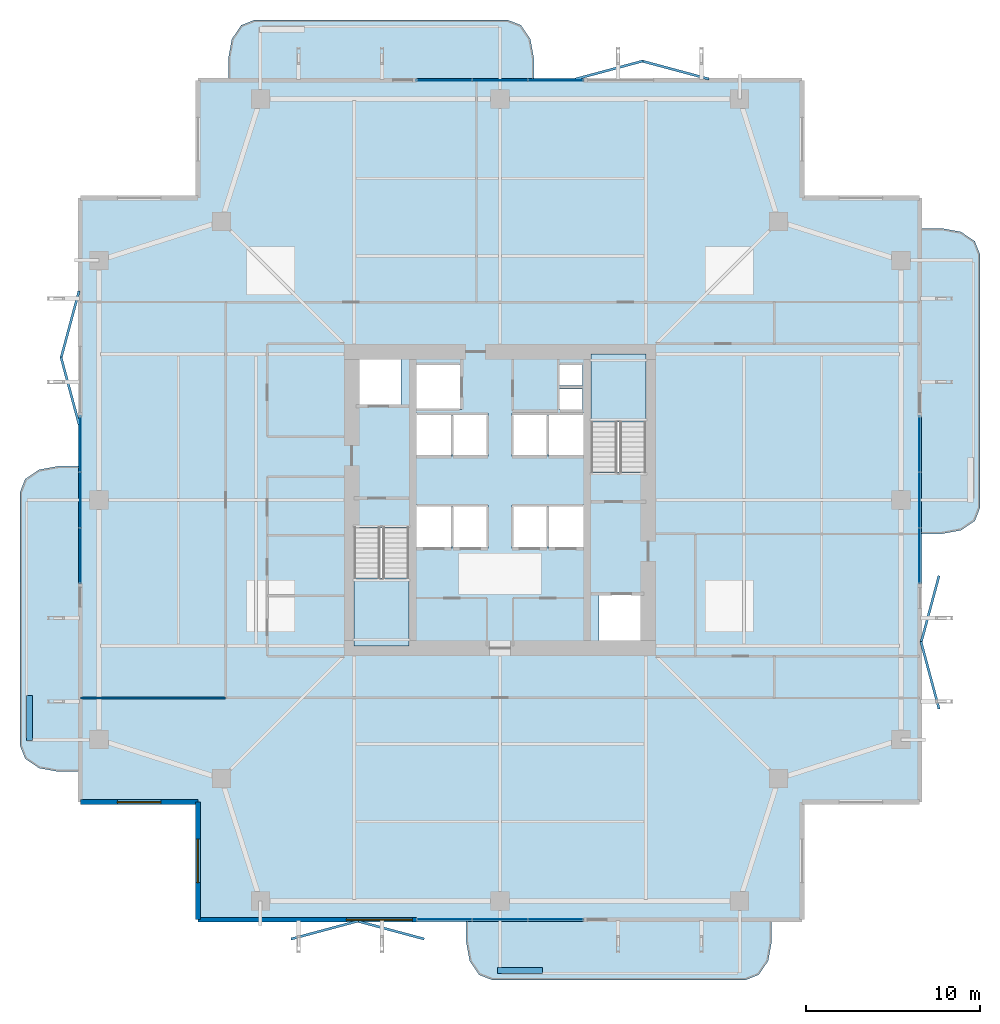
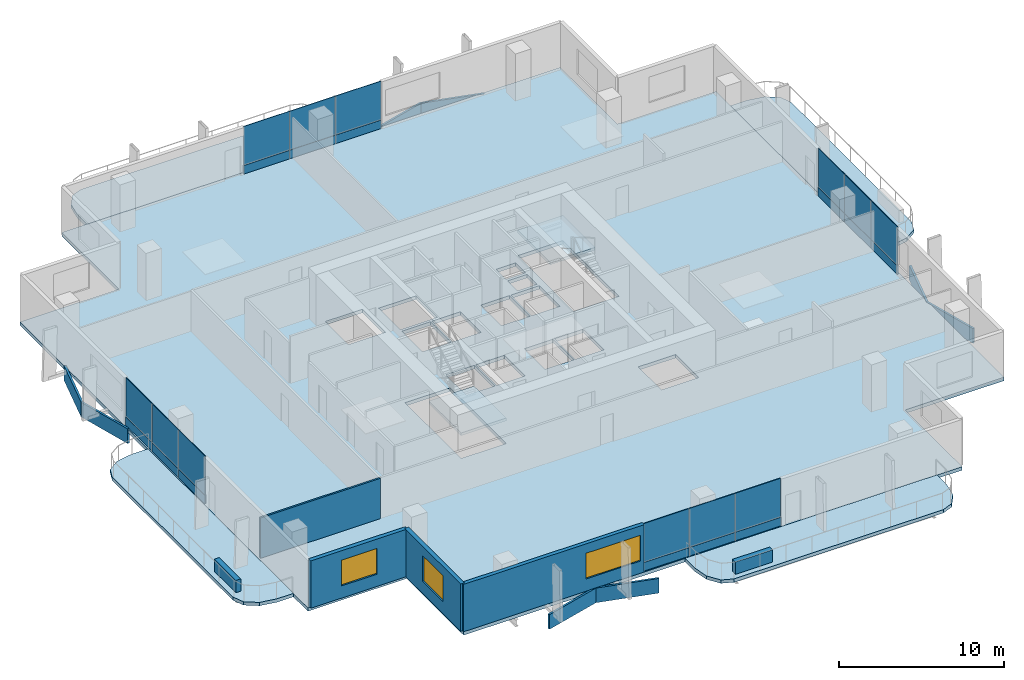
# One storey, part 17 of 23: 32 plates, 7 slabs, 6 walls, 3 windows, 3 openings, 6 elements without a shape of their own.
"""IFC4 building model written with IfcOpenShell, lengths in metres."""

import ifcopenshell
import ifcopenshell.guid

model = None  # the IFC model being written
_history = None  # IfcOwnerHistory: only IFC2X3 demands one
_inside = {}  # id of a spatial element -> (the spatial element, [elements in it])
_under = {}  # id of a project, library or spatial element -> (it, [spatial elements below it])
_declared = {}  # id of a project -> (the project, [libraries it declares])
_typed = {}  # id of a type object -> (the type object, [elements of that type])
_made_of = {}  # id of a material, layer set ... -> (it, [elements and type objects made of it])


def new_model(schema):
    """Start an empty IFC model of exactly this schema.

    Asked for "IFC4X3", IfcOpenShell would pick the latest addendum, in which some entities
    have other attributes; the version numbers below select the first issue.
    IFC2X3 requires an IfcOwnerHistory on every rooted entity: one is made here for all.
    """
    global model, _history
    if schema == "IFC4X3":
        model = ifcopenshell.file(schema_version=(4, 3, 0, 0))
    else:
        model = ifcopenshell.file(schema=schema)
    _inside.clear()
    _under.clear()
    _declared.clear()
    _typed.clear()
    _made_of.clear()
    _history = None
    if model.schema == "IFC2X3":
        org = make("IfcOrganization", Name="unknown")
        user = make(
            "IfcPersonAndOrganization",
            ThePerson=make("IfcPerson", FamilyName="unknown"),
            TheOrganization=org,
        )
        app = make(
            "IfcApplication",
            ApplicationDeveloper=org,
            Version="unknown",
            ApplicationFullName="unknown",
            ApplicationIdentifier="unknown",
        )
        _history = make(
            "IfcOwnerHistory",
            OwningUser=user,
            OwningApplication=app,
            ChangeAction="ADDED",
            CreationDate=0,
        )
    return model


def make(cls, **values):
    """One entity of the class cls with the attributes given. An attribute that is None is left unset."""
    return model.create_entity(
        cls, **{name: value for name, value in values.items() if value is not None}
    )


def rooted(cls, **values):
    """An entity with a GlobalId (a new one), such as an element, a storey or a relation."""
    return make(cls, GlobalId=ifcopenshell.guid.new(), OwnerHistory=_history, **values)


def si_unit(unit_type, name, prefix=None):
    """IfcSIUnit, for example si_unit("LENGTHUNIT", "METRE", prefix="MILLI")."""
    return make("IfcSIUnit", UnitType=unit_type, Prefix=prefix, Name=name)


def assignment(units):
    """IfcUnitAssignment: the units of a project."""
    return None if units is None else make("IfcUnitAssignment", Units=units)


def point(xyz):
    """IfcCartesianPoint."""
    return None if xyz is None else make("IfcCartesianPoint", Coordinates=xyz)


def direction(xyz):
    """IfcDirection."""
    return None if xyz is None else make("IfcDirection", DirectionRatios=xyz)


def frame(location, z_axis=None, x_axis=None):
    """IfcAxis2Placement3D, a coordinate frame: its origin and axes. An axis left out is left unset."""
    return make(
        "IfcAxis2Placement3D",
        Location=point(location),
        Axis=direction(z_axis),
        RefDirection=direction(x_axis),
    )


def frame_2d(location, x_axis=None):
    """IfcAxis2Placement2D, a coordinate frame in the plane: its origin and x axis."""
    return make(
        "IfcAxis2Placement2D", Location=point(location), RefDirection=direction(x_axis)
    )


def origin():
    """The frame at (0, 0, 0) with its axes left unset."""
    return frame((0.0, 0.0, 0.0))


def origin_2d():
    """The frame at (0, 0) in the plane with its x axis left unset."""
    return frame_2d((0.0, 0.0))


def place(relative_to, where):
    """IfcLocalPlacement: puts the frame where relative to a parent placement (None: the world)."""
    return make(
        "IfcLocalPlacement", PlacementRelTo=relative_to, RelativePlacement=where
    )


def context(
    kind, dimensions, precision=None, world=None, true_north=None, identifier=None
):
    """IfcGeometricRepresentationContext, for example the 3D "Model" context."""
    return make(
        "IfcGeometricRepresentationContext",
        ContextIdentifier=identifier,
        ContextType=kind,
        CoordinateSpaceDimension=dimensions,
        Precision=precision,
        WorldCoordinateSystem=world,
        TrueNorth=true_north,
    )


def subcontext(parent, identifier, kind, view, scale=None):
    """IfcGeometricRepresentationSubContext, for example "Body" below "Model"."""
    return make(
        "IfcGeometricRepresentationSubContext",
        ContextIdentifier=identifier,
        ContextType=kind,
        ParentContext=parent,
        TargetScale=scale,
        TargetView=view,
    )


def project(units=None, contexts=None):
    """IfcProject with its units and contexts."""
    return rooted(
        "IfcProject",
        Name="project",
        RepresentationContexts=contexts,
        UnitsInContext=assignment(units),
    )


def spatial(cls, under=None, at=None, **own):
    """A site, building, storey or space (cls), placed at a placement, below another one or the project."""
    s = rooted(cls, ObjectPlacement=at, **own)
    if under is not None:
        _under.setdefault(under.id(), (under, []))[1].append(s)
    return s


def polyline(points):
    """IfcPolyline through the points."""
    return make("IfcPolyline", Points=[point(p) for p in points])


def profile(cls, at=None, kind="AREA", **sizes):
    """A parametric profile (cls). Its sizes go by their IFC names, for example OverallWidth=200.0."""
    return make(cls, ProfileType=kind, Position=at, **sizes)


def rectangle(**sizes):
    """IfcRectangleProfileDef."""
    return profile("IfcRectangleProfileDef", **sizes)


def outline(outer, holes=None, kind="AREA"):
    """IfcArbitraryClosedProfileDef: a profile drawn as a closed curve; with holes, ...WithVoids."""
    if holes is None:
        return make("IfcArbitraryClosedProfileDef", ProfileType=kind, OuterCurve=outer)
    return make(
        "IfcArbitraryProfileDefWithVoids",
        ProfileType=kind,
        OuterCurve=outer,
        InnerCurves=holes,
    )


def extrude(swept, where, along, depth):
    """IfcExtrudedAreaSolid: the profile swept, set in the frame where, extruded along a direction by depth."""
    return make(
        "IfcExtrudedAreaSolid",
        SweptArea=swept,
        Position=where,
        ExtrudedDirection=direction(along),
        Depth=depth,
    )


def shape(context_of_items, identifier, shape_type, items):
    """IfcShapeRepresentation: the items that make up one representation, for example the "Body"."""
    return make(
        "IfcShapeRepresentation",
        ContextOfItems=context_of_items,
        RepresentationIdentifier=identifier,
        RepresentationType=shape_type,
        Items=items,
    )


def material(Name=None, Category=None):
    """IfcMaterial."""
    return make("IfcMaterial", Name=Name, Category=Category)


def layer(
    of_material, thickness, ventilated=None, Name=None, Category=None, Priority=None
):
    """IfcMaterialLayer: one layer of a wall or slab, of a material (None: an air gap)."""
    return make(
        "IfcMaterialLayer",
        Material=of_material,
        LayerThickness=thickness,
        IsVentilated=ventilated,
        Name=Name,
        Category=Category,
        Priority=Priority,
    )


def layer_set(layers, Name=None):
    """IfcMaterialLayerSet."""
    return make("IfcMaterialLayerSet", MaterialLayers=layers, LayerSetName=Name)


def made_of(thing, what):
    """Note that an element or type object is made of a material, layer set ...; save() writes the relation."""
    if what is not None:
        _made_of.setdefault(what.id(), (what, []))[1].append(thing)
    return thing


def type_object(cls, material=None, **own):
    """A type object (cls), such as IfcWallType, which elements share."""
    return made_of(rooted(cls, **own), material)


def element(
    cls,
    number,
    at=None,
    inside=None,
    cuts=None,
    type_object=None,
    material=None,
    context=None,
    identifier="Body",
    shape_type=None,
    held_by="IfcProductDefinitionShape",
    body=None,
    shapes=None,
    **own,
):
    """One element of the class cls, such as IfcWall. Its Tag is "e" and its number.

    at: its placement. inside: the storey or other place that contains it. cuts: it is an
    opening in that element (IfcRelVoidsElement). A single representation is given by context,
    identifier, shape_type and body (its items); several are given by shapes. held_by: the class
    of the entity that holds the representations. save() writes the other relations.
    """
    e = rooted(cls, Tag="e%d" % number, ObjectPlacement=at, **own)
    if body is not None:
        shapes = [shape(context, identifier, shape_type, body)]
    if shapes is not None:
        e.Representation = make(held_by, Representations=shapes)
    if inside is not None:
        _inside.setdefault(inside.id(), (inside, []))[1].append(e)
    if cuts is not None:
        rooted(
            "IfcRelVoidsElement", RelatingBuildingElement=cuts, RelatedOpeningElement=e
        )
    if type_object is not None:
        _typed.setdefault(type_object.id(), (type_object, []))[1].append(e)
    return made_of(e, material)


def fill(opening, filler):
    """IfcRelFillsElement: the door or window that sits in an opening."""
    return rooted(
        "IfcRelFillsElement",
        RelatingOpeningElement=opening,
        RelatedBuildingElement=filler,
    )


def aggregate(whole, parts):
    """IfcRelAggregates: a whole, such as a stair, and the parts it consists of."""
    return rooted("IfcRelAggregates", RelatingObject=whole, RelatedObjects=parts)


def save(model, path):
    """Write the relations noted so far, then the file.

    IfcRelAggregates (storeys below a building ...), IfcRelContainedInSpatialStructure (elements
    in a storey), IfcRelDefinesByType, IfcRelAssociatesMaterial and IfcRelDeclares: one each for
    every whole, place, type object, material and project.
    """
    for whole, parts in _under.values():
        aggregate(whole, parts)
    for where, things in _inside.values():
        rooted(
            "IfcRelContainedInSpatialStructure",
            RelatedElements=things,
            RelatingStructure=where,
        )
    for kind, things in _typed.values():
        rooted("IfcRelDefinesByType", RelatedObjects=things, RelatingType=kind)
    for what, things in _made_of.values():
        rooted("IfcRelAssociatesMaterial", RelatedObjects=things, RelatingMaterial=what)
    for by, libraries in _declared.values():
        rooted("IfcRelDeclares", RelatingContext=by, RelatedDefinitions=libraries)
    model.write(path)


model = new_model("IFC4")

# Units and contexts
model_context = context("Model", 3, precision=1e-05, world=origin(), true_north=direction((0.0, 1.0)))
body_context = subcontext(model_context, "Body", "Model", "MODEL_VIEW")
ifc_project = project(units=[si_unit("LENGTHUNIT", "METRE"), si_unit("AREAUNIT", "SQUARE_METRE"), si_unit("VOLUMEUNIT", "CUBIC_METRE"), si_unit("PLANEANGLEUNIT", "RADIAN"), si_unit("MASSUNIT", "GRAM", prefix="KILO")], contexts=[model_context])

# Site, building, storey
site_placement = place(None, origin())
site = spatial("IfcSite", under=ifc_project, at=site_placement, CompositionType="ELEMENT")
building_placement = place(site_placement, origin())
building = spatial("IfcBuilding", under=site, at=building_placement, Name="Belovzor Exchange Tower", CompositionType="ELEMENT")
storey_placement = place(building_placement, frame((0.0, 0.0, 157.050048828125)))
storey = spatial("IfcBuildingStorey", under=building, at=storey_placement, Name="L38", CompositionType="ELEMENT", Elevation=157.050048828125)

# Slab
ifc_material_1 = material(Name="Concrete C40/50", Category="concrete")
ifc_layer_1 = layer(ifc_material_1, 0.2548828125)
ifc_layer_set_1 = layer_set([ifc_layer_1], Name="Concrete C40/50")
slab_type_1 = type_object("IfcSlabType", Name="Composite Waist Floor Deck Slab 255", PredefinedType="FLOOR", material=ifc_layer_set_1)
slab_1_placement = place(storey_placement, frame((0.0, 0.0, -0.255126953125)))
element("IfcSlab", 1, at=slab_1_placement, inside=storey, type_object=slab_type_1, Name="SL-F255 Structural Slab L38", PredefinedType="FLOOR", context=body_context, shape_type="SweptSolid", body=[
    extrude(outline(polyline([(11.39990234375, 4.5), (46.199951171875, 4.5), (46.199951171875, 11.39990234375), (53.10009765625, 11.39990234375), (53.10009765625, 46.199951171875), (46.199951171875, 46.199951171875), (46.199951171875, 53.10009765625), (11.39990234375, 53.10009765625), (11.39990234375, 46.199951171875), (4.5, 46.199951171875), (4.5, 11.39990234375), (11.39990234375, 11.39990234375), (11.39990234375, 4.5)]), holes=[polyline([(20.39990234375, 27.175048828125), (20.39990234375, 20.39990234375), (23.550048828125, 20.39990234375), (23.550048828125, 27.175048828125), (20.39990234375, 27.175048828125)]), polyline([(37.199951171875, 30.425048828125), (37.199951171875, 37.199951171875), (34.050048828125, 37.199951171875), (34.050048828125, 30.425048828125), (37.199951171875, 30.425048828125)]), polyline([(20.5, 34.199951171875), (23.10009765625, 34.199951171875), (23.10009765625, 37.0), (20.5, 37.0), (20.5, 34.199951171875)]), polyline([(34.5, 20.60009765625), (37.10009765625, 20.60009765625), (37.10009765625, 23.39990234375), (34.5, 23.39990234375), (34.5, 20.60009765625)]), polyline([(24.0, 34.0), (26.60009765625, 34.0), (26.60009765625, 36.60009765625), (24.0, 36.60009765625), (24.0, 34.0)]), polyline([(24.0, 26.0), (26.0, 26.0), (26.0, 28.5), (24.0, 28.5), (24.0, 26.0)]), polyline([(26.10009765625, 26.0), (28.10009765625, 26.0), (28.10009765625, 28.5), (26.10009765625, 28.5), (26.10009765625, 26.0)]), polyline([(29.5, 26.0), (31.5, 26.0), (31.5, 28.5), (29.5, 28.5), (29.5, 26.0)]), polyline([(31.60009765625, 26.0), (33.60009765625, 26.0), (33.60009765625, 28.5), (31.60009765625, 28.5), (31.60009765625, 26.0)]), polyline([(24.0, 31.300048828125), (26.0, 31.300048828125), (26.0, 33.800048828125), (24.0, 33.800048828125), (24.0, 31.300048828125)]), polyline([(26.10009765625, 31.300048828125), (28.10009765625, 31.300048828125), (28.10009765625, 33.800048828125), (26.10009765625, 33.800048828125), (26.10009765625, 31.300048828125)]), polyline([(29.5, 31.300048828125), (31.5, 31.300048828125), (31.5, 33.800048828125), (29.5, 33.800048828125), (29.5, 31.300048828125)]), polyline([(31.60009765625, 31.300048828125), (33.60009765625, 31.300048828125), (33.60009765625, 33.800048828125), (31.60009765625, 33.800048828125), (31.60009765625, 31.300048828125)]), polyline([(32.199951171875, 34.0), (33.550048828125, 34.0), (33.550048828125, 35.199951171875), (32.199951171875, 35.199951171875), (32.199951171875, 34.0)]), polyline([(32.199951171875, 35.39990234375), (33.550048828125, 35.39990234375), (33.550048828125, 36.60009765625), (32.199951171875, 36.60009765625), (32.199951171875, 35.39990234375)])]), origin(), (0.0, 0.0, 1.0), 0.255126953125),
])

# Curtain wall, plates
ifc_material_2 = material(Name="Anodised Aluminium Framing", Category="aluminium")
ifc_layer_2 = layer(ifc_material_2, 0.179931640625)
ifc_layer_set_2 = layer_set([ifc_layer_2], Name="Anodised Aluminium Framing")
curtain_wall_type = type_object("IfcCurtainWallType", Name="Recessed Loggia Low-Iron Triple-Glazed Curtain Wall", PredefinedType="NOTDEFINED", material=ifc_layer_set_2)
curtain_wall_1_placement = place(storey_placement, origin())
curtain_wall_1 = element("IfcCurtainWall", 2, at=curtain_wall_1_placement, inside=storey, type_object=curtain_wall_type, Name="CW3 Recessed Loggia Low-Iron Triple-Glazed Curtain Wall L38", PredefinedType="NOTDEFINED")
ifc_material_3 = material(Name="Solar-Control Triple Glazing", Category="glass")
ifc_layer_3 = layer(ifc_material_3, 0.0439453125)
ifc_layer_set_3 = layer_set([ifc_layer_3], Name="Solar-Control Triple Glazing")
plate_type_1 = type_object("IfcPlateType", Name="Insulated Solar Glazing Curtain Panel 44", PredefinedType="CURTAIN_PANEL", material=ifc_layer_set_3)
plate_1_placement = place(storey_placement, frame((32.0, 4.6298828125, 0.630859375), z_axis=(0.0, 0.0, 1.0), x_axis=(-1.0, 0.0, 0.0)))
plate_1 = element("IfcPlate", 3, at=plate_1_placement, type_object=plate_type_1, Name="GLZ-44 Glazed Curtain Panel 1", PredefinedType="CURTAIN_PANEL", context=body_context, shape_type="SweptSolid", body=[
    extrude(rectangle(XDim=3.18408203125, YDim=0.0439453125, at=origin_2d()), origin(), (0.0, 0.0, 1.0), 2.864013671875),
])
plate_2_placement = place(storey_placement, frame((28.800048828125, 4.6298828125, 0.630859375), z_axis=(0.0, 0.0, 1.0), x_axis=(-1.0, 0.0, 0.0)))
plate_2 = element("IfcPlate", 4, at=plate_2_placement, type_object=plate_type_1, Name="GLZ-44 Glazed Curtain Panel 2", PredefinedType="CURTAIN_PANEL", context=body_context, shape_type="SweptSolid", body=[
    extrude(rectangle(XDim=3.18408203125, YDim=0.0439453125, at=origin_2d()), origin(), (0.0, 0.0, 1.0), 2.864013671875),
])
plate_3_placement = place(storey_placement, frame((25.60009765625, 4.6298828125, 0.630859375), z_axis=(0.0, 0.0, 1.0), x_axis=(-1.0, 0.0, 0.0)))
plate_3 = element("IfcPlate", 5, at=plate_3_placement, type_object=plate_type_1, Name="GLZ-44 Glazed Curtain Panel 3", PredefinedType="CURTAIN_PANEL", context=body_context, shape_type="SweptSolid", body=[
    extrude(rectangle(XDim=3.18408203125, YDim=0.0439453125, at=origin_2d()), origin(), (0.0, 0.0, 1.0), 2.864013671875),
])

curtain_wall_2_placement = place(storey_placement, origin())
curtain_wall_2 = element("IfcCurtainWall", 6, at=curtain_wall_2_placement, inside=storey, type_object=curtain_wall_type, Name="CW3 Recessed Loggia Low-Iron Triple-Glazed Curtain Wall L38", PredefinedType="NOTDEFINED")
plate_4_placement = place(storey_placement, frame((25.60009765625, 52.969970703125, 0.630859375), z_axis=(0.0, 0.0, 1.0), x_axis=(1.0, 0.0, 0.0)))
plate_4 = element("IfcPlate", 7, at=plate_4_placement, type_object=plate_type_1, Name="GLZ-44 Glazed Curtain Panel 1", PredefinedType="CURTAIN_PANEL", context=body_context, shape_type="SweptSolid", body=[
    extrude(rectangle(XDim=3.18408203125, YDim=0.0439453125, at=origin_2d()), origin(), (0.0, 0.0, 1.0), 2.864013671875),
])
plate_5_placement = place(storey_placement, frame((28.800048828125, 52.969970703125, 0.630859375), z_axis=(0.0, 0.0, 1.0), x_axis=(1.0, 0.0, 0.0)))
plate_5 = element("IfcPlate", 8, at=plate_5_placement, type_object=plate_type_1, Name="GLZ-44 Glazed Curtain Panel 2", PredefinedType="CURTAIN_PANEL", context=body_context, shape_type="SweptSolid", body=[
    extrude(rectangle(XDim=3.18408203125, YDim=0.0439453125, at=origin_2d()), origin(), (0.0, 0.0, 1.0), 2.864013671875),
])
plate_6_placement = place(storey_placement, frame((32.0, 52.969970703125, 0.630859375), z_axis=(0.0, 0.0, 1.0), x_axis=(1.0, 0.0, 0.0)))
plate_6 = element("IfcPlate", 9, at=plate_6_placement, type_object=plate_type_1, Name="GLZ-44 Glazed Curtain Panel 3", PredefinedType="CURTAIN_PANEL", context=body_context, shape_type="SweptSolid", body=[
    extrude(rectangle(XDim=3.18408203125, YDim=0.0439453125, at=origin_2d()), origin(), (0.0, 0.0, 1.0), 2.864013671875),
])

curtain_wall_3_placement = place(storey_placement, origin())
curtain_wall_3 = element("IfcCurtainWall", 10, at=curtain_wall_3_placement, inside=storey, type_object=curtain_wall_type, Name="CW3 Recessed Loggia Low-Iron Triple-Glazed Curtain Wall L38", PredefinedType="NOTDEFINED")
plate_7_placement = place(storey_placement, frame((4.6298828125, 25.60009765625, 0.630859375), z_axis=(0.0, 0.0, 1.0), x_axis=(0.0, 1.0, 0.0)))
plate_7 = element("IfcPlate", 11, at=plate_7_placement, type_object=plate_type_1, Name="GLZ-44 Glazed Curtain Panel 1", PredefinedType="CURTAIN_PANEL", context=body_context, shape_type="SweptSolid", body=[
    extrude(rectangle(XDim=3.18408203125, YDim=0.0439453125, at=origin_2d()), origin(), (0.0, 0.0, 1.0), 2.864013671875),
])
plate_8_placement = place(storey_placement, frame((4.6298828125, 28.800048828125, 0.630859375), z_axis=(0.0, 0.0, 1.0), x_axis=(0.0, 1.0, 0.0)))
plate_8 = element("IfcPlate", 12, at=plate_8_placement, type_object=plate_type_1, Name="GLZ-44 Glazed Curtain Panel 2", PredefinedType="CURTAIN_PANEL", context=body_context, shape_type="SweptSolid", body=[
    extrude(rectangle(XDim=3.18408203125, YDim=0.0439453125, at=origin_2d()), origin(), (0.0, 0.0, 1.0), 2.864013671875),
])
plate_9_placement = place(storey_placement, frame((4.6298828125, 32.0, 0.630859375), z_axis=(0.0, 0.0, 1.0), x_axis=(0.0, 1.0, 0.0)))
plate_9 = element("IfcPlate", 13, at=plate_9_placement, type_object=plate_type_1, Name="GLZ-44 Glazed Curtain Panel 3", PredefinedType="CURTAIN_PANEL", context=body_context, shape_type="SweptSolid", body=[
    extrude(rectangle(XDim=3.18408203125, YDim=0.0439453125, at=origin_2d()), origin(), (0.0, 0.0, 1.0), 2.864013671875),
])

curtain_wall_4_placement = place(storey_placement, origin())
curtain_wall_4 = element("IfcCurtainWall", 14, at=curtain_wall_4_placement, inside=storey, type_object=curtain_wall_type, Name="CW3 Recessed Loggia Low-Iron Triple-Glazed Curtain Wall L38", PredefinedType="NOTDEFINED")
plate_10_placement = place(storey_placement, frame((52.969970703125, 32.0, 0.630859375), z_axis=(0.0, 0.0, 1.0), x_axis=(0.0, -1.0, 0.0)))
plate_10 = element("IfcPlate", 15, at=plate_10_placement, type_object=plate_type_1, Name="GLZ-44 Glazed Curtain Panel 1", PredefinedType="CURTAIN_PANEL", context=body_context, shape_type="SweptSolid", body=[
    extrude(rectangle(XDim=3.18408203125, YDim=0.0439453125, at=origin_2d()), origin(), (0.0, 0.0, 1.0), 2.864013671875),
])
plate_11_placement = place(storey_placement, frame((52.969970703125, 28.800048828125, 0.630859375), z_axis=(0.0, 0.0, 1.0), x_axis=(0.0, -1.0, 0.0)))
plate_11 = element("IfcPlate", 16, at=plate_11_placement, type_object=plate_type_1, Name="GLZ-44 Glazed Curtain Panel 2", PredefinedType="CURTAIN_PANEL", context=body_context, shape_type="SweptSolid", body=[
    extrude(rectangle(XDim=3.18408203125, YDim=0.0439453125, at=origin_2d()), origin(), (0.0, 0.0, 1.0), 2.864013671875),
])
plate_12_placement = place(storey_placement, frame((52.969970703125, 25.60009765625, 0.630859375), z_axis=(0.0, 0.0, 1.0), x_axis=(0.0, -1.0, 0.0)))
plate_12 = element("IfcPlate", 17, at=plate_12_placement, type_object=plate_type_1, Name="GLZ-44 Glazed Curtain Panel 3", PredefinedType="CURTAIN_PANEL", context=body_context, shape_type="SweptSolid", body=[
    extrude(rectangle(XDim=3.18408203125, YDim=0.0439453125, at=origin_2d()), origin(), (0.0, 0.0, 1.0), 2.864013671875),
])

# Plates
ifc_material_4 = material(Name="Extruded Architectural Terracotta", Category="masonry")
ifc_layer_4 = layer(ifc_material_4, 0.139892578125)
ifc_layer_set_4 = layer_set([ifc_layer_4], Name="Extruded Architectural Terracotta")
plate_type_2 = type_object("IfcPlateType", Name="Mid-Tower Folded Zigzag Terracotta Spandrel Louvre 120", PredefinedType="USERDEFINED", material=ifc_layer_set_4)
for number, where, z_axis, x_axis, name in (
    (18, (18.699951171875, 4.030029296875, -1.065185546875), (0.0, 0.0, 1.0), (0.965812803231, 0.259240485101, 0.0), "LVR-ZZ2 Zigzag Terracotta Spandrel Louvre L38 S1A"),
    (19, (22.5, 4.030029296875, -1.065185546875), (0.0, 0.0, 1.0), (0.965812803231, -0.259240485101, 0.0), "LVR-ZZ2 Zigzag Terracotta Spandrel Louvre L38 S1B"),
    (20, (53.570068359375, 18.699951171875, -1.065185546875), (0.0, 0.0, 1.0), (-0.259240485101, 0.965812803231, 0.0), "LVR-ZZ2 Zigzag Terracotta Spandrel Louvre L38 E1A"),
    (21, (53.570068359375, 22.5, -1.065185546875), (0.0, 0.0, 1.0), (0.259240485101, 0.965812803231, 0.0), "LVR-ZZ2 Zigzag Terracotta Spandrel Louvre L38 E1B"),
    (22, (35.10009765625, 53.570068359375, -1.065185546875), (0.0, 0.0, 1.0), (0.965812803231, 0.259240485101, 0.0), "LVR-ZZ2 Zigzag Terracotta Spandrel Louvre L38 N2A"),
    (23, (38.89990234375, 53.570068359375, -1.065185546875), (0.0, 0.0, 1.0), (0.965812803231, -0.259240485101, 0.0), "LVR-ZZ2 Zigzag Terracotta Spandrel Louvre L38 N2B"),
    (24, (4.030029296875, 35.10009765625, -1.065185546875), (0.0, 0.0, 1.0), (-0.259240485101, 0.965812803231, 0.0), "LVR-ZZ2 Zigzag Terracotta Spandrel Louvre L38 W2A"),
    (25, (4.030029296875, 38.89990234375, -1.065185546875), (0.0, 0.0, 1.0), (0.259240485101, 0.965812803231, 0.0), "LVR-ZZ2 Zigzag Terracotta Spandrel Louvre L38 W2B"),
):
    element("IfcPlate", number, at=place(storey_placement, frame(where, z_axis=z_axis, x_axis=x_axis)), inside=storey, type_object=plate_type_2, Name=name, ObjectType="SPANDREL_LOUVRE", PredefinedType="USERDEFINED", context=body_context, shape_type="SweptSolid", body=[
        extrude(rectangle(XDim=4.014892578125, YDim=0.139892578125, at=origin_2d()), origin(), (0.0, 0.0, 1.0), 1.080078125),
    ])

# Stair, slab
ifc_material_5 = material(Name="Concrete C40/50", Category="concrete")
stair_type = type_object("IfcStairType", Name="Reinforced Concrete Dogleg Escape Stair 1350", PredefinedType="HALF_TURN_STAIR", material=ifc_material_5)
stair_1_placement = place(storey_placement, origin())
stair_1 = element("IfcStair", 26, at=stair_1_placement, inside=storey, type_object=stair_type, Name="L38 ST-1", PredefinedType="HALF_TURN_STAIR")
ifc_material_6 = material(Name="Concrete C40/50", Category="concrete")
ifc_layer_5 = layer(ifc_material_6, 0.199951171875)
ifc_layer_set_5 = layer_set([ifc_layer_5], Name="Concrete C40/50")
slab_type_2 = type_object("IfcSlabType", Name="Reinforced Concrete Stair Half-Landing Slab 200", PredefinedType="LANDING", material=ifc_layer_set_5)
slab_2_placement = place(storey_placement, frame((0.0, 0.0, 1.675048828125)))
slab_2 = element("IfcSlab", 27, at=slab_2_placement, type_object=slab_type_2, Name="ST-1 landing 1", PredefinedType="LANDING", context=body_context, shape_type="SweptSolid", body=[
    extrude(outline(polyline([(20.39990234375, 24.300048828125), (20.39990234375, 20.39990234375), (23.550048828125, 20.39990234375), (23.550048828125, 24.300048828125), (20.39990234375, 24.300048828125)])), origin(), (0.0, 0.0, 1.0), 0.199951171875),
])
aggregate(stair_1, [slab_2])

stair_2_placement = place(storey_placement, origin())
stair_2 = element("IfcStair", 28, at=stair_2_placement, inside=storey, type_object=stair_type, Name="L38 ST-2", PredefinedType="HALF_TURN_STAIR")
slab_3_placement = place(storey_placement, frame((0.0, 0.0, 1.675048828125)))
slab_3 = element("IfcSlab", 29, at=slab_3_placement, type_object=slab_type_2, Name="ST-2 landing 1", PredefinedType="LANDING", context=body_context, shape_type="SweptSolid", body=[
    extrude(outline(polyline([(37.199951171875, 33.300048828125), (37.199951171875, 37.199951171875), (34.050048828125, 37.199951171875), (34.050048828125, 33.300048828125), (37.199951171875, 33.300048828125)])), origin(), (0.0, 0.0, 1.0), 0.199951171875),
])
aggregate(stair_2, [slab_3])

# Plate
ifc_material_7 = material(Name="Extruded Architectural Terracotta", Category="masonry")
ifc_layer_6 = layer(ifc_material_7, 0.090087890625)
ifc_layer_set_6 = layer_set([ifc_layer_6], Name="Extruded Architectural Terracotta")
plate_type_3 = type_object("IfcPlateType", Name="Terracotta Shadow-Box Spandrel Panel 90", PredefinedType="CURTAIN_PANEL", material=ifc_layer_set_6)
plate_13_placement = place(storey_placement, frame((32.0, 4.6298828125, 0.00048828125), z_axis=(0.0, 0.0, 1.0), x_axis=(-1.0, 0.0, 0.0)))
plate_13 = element("IfcPlate", 30, at=plate_13_placement, type_object=plate_type_3, Name="SPD-90 Spandrel Panel 1", PredefinedType="CURTAIN_PANEL", context=body_context, shape_type="SweptSolid", body=[
    extrude(rectangle(XDim=3.18408203125, YDim=0.090087890625, at=origin_2d()), origin(), (0.0, 0.0, 1.0), 0.626953125),
])

plate_14_placement = place(storey_placement, frame((28.800048828125, 4.6298828125, 0.00048828125), z_axis=(0.0, 0.0, 1.0), x_axis=(-1.0, 0.0, 0.0)))
plate_14 = element("IfcPlate", 31, at=plate_14_placement, type_object=plate_type_3, Name="SPD-90 Spandrel Panel 2", PredefinedType="CURTAIN_PANEL", context=body_context, shape_type="SweptSolid", body=[
    extrude(rectangle(XDim=3.18408203125, YDim=0.090087890625, at=origin_2d()), origin(), (0.0, 0.0, 1.0), 0.626953125),
])

plate_15_placement = place(storey_placement, frame((25.60009765625, 4.6298828125, 0.00048828125), z_axis=(0.0, 0.0, 1.0), x_axis=(-1.0, 0.0, 0.0)))
plate_15 = element("IfcPlate", 32, at=plate_15_placement, type_object=plate_type_3, Name="SPD-90 Spandrel Panel 3", PredefinedType="CURTAIN_PANEL", context=body_context, shape_type="SweptSolid", body=[
    extrude(rectangle(XDim=3.18408203125, YDim=0.090087890625, at=origin_2d()), origin(), (0.0, 0.0, 1.0), 0.626953125),
])

aggregate(curtain_wall_1, [plate_13, plate_1, plate_14, plate_2, plate_15, plate_3])

plate_16_placement = place(storey_placement, frame((25.60009765625, 52.969970703125, 0.00048828125), z_axis=(0.0, 0.0, 1.0), x_axis=(1.0, 0.0, 0.0)))
plate_16 = element("IfcPlate", 33, at=plate_16_placement, type_object=plate_type_3, Name="SPD-90 Spandrel Panel 1", PredefinedType="CURTAIN_PANEL", context=body_context, shape_type="SweptSolid", body=[
    extrude(rectangle(XDim=3.18408203125, YDim=0.090087890625, at=origin_2d()), origin(), (0.0, 0.0, 1.0), 0.626953125),
])

plate_17_placement = place(storey_placement, frame((28.800048828125, 52.969970703125, 0.00048828125), z_axis=(0.0, 0.0, 1.0), x_axis=(1.0, 0.0, 0.0)))
plate_17 = element("IfcPlate", 34, at=plate_17_placement, type_object=plate_type_3, Name="SPD-90 Spandrel Panel 2", PredefinedType="CURTAIN_PANEL", context=body_context, shape_type="SweptSolid", body=[
    extrude(rectangle(XDim=3.18408203125, YDim=0.090087890625, at=origin_2d()), origin(), (0.0, 0.0, 1.0), 0.626953125),
])

plate_18_placement = place(storey_placement, frame((32.0, 52.969970703125, 0.00048828125), z_axis=(0.0, 0.0, 1.0), x_axis=(1.0, 0.0, 0.0)))
plate_18 = element("IfcPlate", 35, at=plate_18_placement, type_object=plate_type_3, Name="SPD-90 Spandrel Panel 3", PredefinedType="CURTAIN_PANEL", context=body_context, shape_type="SweptSolid", body=[
    extrude(rectangle(XDim=3.18408203125, YDim=0.090087890625, at=origin_2d()), origin(), (0.0, 0.0, 1.0), 0.626953125),
])

aggregate(curtain_wall_2, [plate_16, plate_4, plate_17, plate_5, plate_18, plate_6])

plate_19_placement = place(storey_placement, frame((4.6298828125, 25.60009765625, 0.00048828125), z_axis=(0.0, 0.0, 1.0), x_axis=(0.0, 1.0, 0.0)))
plate_19 = element("IfcPlate", 36, at=plate_19_placement, type_object=plate_type_3, Name="SPD-90 Spandrel Panel 1", PredefinedType="CURTAIN_PANEL", context=body_context, shape_type="SweptSolid", body=[
    extrude(rectangle(XDim=3.18408203125, YDim=0.090087890625, at=origin_2d()), origin(), (0.0, 0.0, 1.0), 0.626953125),
])

plate_20_placement = place(storey_placement, frame((4.6298828125, 28.800048828125, 0.00048828125), z_axis=(0.0, 0.0, 1.0), x_axis=(0.0, 1.0, 0.0)))
plate_20 = element("IfcPlate", 37, at=plate_20_placement, type_object=plate_type_3, Name="SPD-90 Spandrel Panel 2", PredefinedType="CURTAIN_PANEL", context=body_context, shape_type="SweptSolid", body=[
    extrude(rectangle(XDim=3.18408203125, YDim=0.090087890625, at=origin_2d()), origin(), (0.0, 0.0, 1.0), 0.626953125),
])

plate_21_placement = place(storey_placement, frame((4.6298828125, 32.0, 0.00048828125), z_axis=(0.0, 0.0, 1.0), x_axis=(0.0, 1.0, 0.0)))
plate_21 = element("IfcPlate", 38, at=plate_21_placement, type_object=plate_type_3, Name="SPD-90 Spandrel Panel 3", PredefinedType="CURTAIN_PANEL", context=body_context, shape_type="SweptSolid", body=[
    extrude(rectangle(XDim=3.18408203125, YDim=0.090087890625, at=origin_2d()), origin(), (0.0, 0.0, 1.0), 0.626953125),
])

aggregate(curtain_wall_3, [plate_19, plate_7, plate_20, plate_8, plate_21, plate_9])

plate_22_placement = place(storey_placement, frame((52.969970703125, 32.0, 0.00048828125), z_axis=(0.0, 0.0, 1.0), x_axis=(0.0, -1.0, 0.0)))
plate_22 = element("IfcPlate", 39, at=plate_22_placement, type_object=plate_type_3, Name="SPD-90 Spandrel Panel 1", PredefinedType="CURTAIN_PANEL", context=body_context, shape_type="SweptSolid", body=[
    extrude(rectangle(XDim=3.18408203125, YDim=0.090087890625, at=origin_2d()), origin(), (0.0, 0.0, 1.0), 0.626953125),
])

plate_23_placement = place(storey_placement, frame((52.969970703125, 28.800048828125, 0.00048828125), z_axis=(0.0, 0.0, 1.0), x_axis=(0.0, -1.0, 0.0)))
plate_23 = element("IfcPlate", 40, at=plate_23_placement, type_object=plate_type_3, Name="SPD-90 Spandrel Panel 2", PredefinedType="CURTAIN_PANEL", context=body_context, shape_type="SweptSolid", body=[
    extrude(rectangle(XDim=3.18408203125, YDim=0.090087890625, at=origin_2d()), origin(), (0.0, 0.0, 1.0), 0.626953125),
])

plate_24_placement = place(storey_placement, frame((52.969970703125, 25.60009765625, 0.00048828125), z_axis=(0.0, 0.0, 1.0), x_axis=(0.0, -1.0, 0.0)))
plate_24 = element("IfcPlate", 41, at=plate_24_placement, type_object=plate_type_3, Name="SPD-90 Spandrel Panel 3", PredefinedType="CURTAIN_PANEL", context=body_context, shape_type="SweptSolid", body=[
    extrude(rectangle(XDim=3.18408203125, YDim=0.090087890625, at=origin_2d()), origin(), (0.0, 0.0, 1.0), 0.626953125),
])

aggregate(curtain_wall_4, [plate_22, plate_10, plate_23, plate_11, plate_24, plate_12])

# Slabs
ifc_material_8 = material(Name="Concrete C40/50", Category="concrete")
ifc_layer_7 = layer(ifc_material_8, 0.25)
ifc_layer_set_7 = layer_set([ifc_layer_7], Name="Concrete C40/50")
slab_type_3 = type_object("IfcSlabType", Name="Thermally Broken Planted Balcony Slab 250", PredefinedType="FLOOR", material=ifc_layer_set_7)
slab_4_placement = place(storey_placement, frame((0.0, 0.0, -0.25)))
element("IfcSlab", 42, at=slab_4_placement, inside=storey, type_object=slab_type_3, Name="SL-BAL220 Planted Balcony Loggia L38 South", PredefinedType="FLOOR", context=body_context, shape_type="SweptSolid", body=[
    extrude(outline(polyline([(26.85009765625, 4.514892578125), (26.85009765625, 3.35009765625), (27.051025390625, 2.25), (27.60009765625, 1.445068359375), (28.35009765625, 1.14990234375), (42.949951171875, 1.14990234375), (43.699951171875, 1.445068359375), (44.2490234375, 2.25), (44.449951171875, 3.35009765625), (44.449951171875, 4.514892578125), (26.85009765625, 4.514892578125)])), origin(), (0.0, 0.0, 1.0), 0.25),
])
slab_5_placement = place(storey_placement, frame((0.0, 0.0, -0.25)))
element("IfcSlab", 43, at=slab_5_placement, inside=storey, type_object=slab_type_3, Name="SL-BAL220 Planted Balcony Loggia L38 North", PredefinedType="FLOOR", context=body_context, shape_type="SweptSolid", body=[
    extrude(outline(polyline([(30.75, 53.0849609375), (30.75, 54.25), (30.549072265625, 55.35009765625), (30.0, 56.155029296875), (29.25, 56.449951171875), (14.64990234375, 56.449951171875), (13.89990234375, 56.155029296875), (13.35107421875, 55.35009765625), (13.14990234375, 54.25), (13.14990234375, 53.0849609375), (30.75, 53.0849609375)])), origin(), (0.0, 0.0, 1.0), 0.25),
])
slab_6_placement = place(storey_placement, frame((0.0, 0.0, -0.25)))
element("IfcSlab", 44, at=slab_6_placement, inside=storey, type_object=slab_type_3, Name="SL-BAL220 Planted Balcony Loggia L38 East", PredefinedType="FLOOR", context=body_context, shape_type="SweptSolid", body=[
    extrude(outline(polyline([(53.0849609375, 26.85009765625), (54.25, 26.85009765625), (55.35009765625, 27.051025390625), (56.155029296875, 27.60009765625), (56.449951171875, 28.35009765625), (56.449951171875, 42.949951171875), (56.155029296875, 43.699951171875), (55.35009765625, 44.2490234375), (54.25, 44.449951171875), (53.0849609375, 44.449951171875), (53.0849609375, 26.85009765625)])), origin(), (0.0, 0.0, 1.0), 0.25),
])
slab_7_placement = place(storey_placement, frame((0.0, 0.0, -0.25)))
element("IfcSlab", 45, at=slab_7_placement, inside=storey, type_object=slab_type_3, Name="SL-BAL220 Planted Balcony Loggia L38 West", PredefinedType="FLOOR", context=body_context, shape_type="SweptSolid", body=[
    extrude(outline(polyline([(4.514892578125, 30.75), (3.35009765625, 30.75), (2.25, 30.549072265625), (1.445068359375, 30.0), (1.14990234375, 29.25), (1.14990234375, 14.64990234375), (1.445068359375, 13.89990234375), (2.25, 13.35107421875), (3.35009765625, 13.14990234375), (4.514892578125, 13.14990234375), (4.514892578125, 30.75)])), origin(), (0.0, 0.0, 1.0), 0.25),
])

# Wall
ifc_material_9 = material(Name="Acoustic Plasterboard on Galvanised Studs", Category="gypsum")
ifc_layer_8 = layer(ifc_material_9, 0.1201171875)
ifc_layer_set_8 = layer_set([ifc_layer_8], Name="Acoustic Plasterboard on Galvanised Studs")
wall_type_1 = type_object("IfcWallType", Name="Acoustic Double-Stud Partition Wall 120", PredefinedType="PARTITIONING", material=ifc_layer_set_8)
wall_1_placement = place(storey_placement, frame((4.6298828125, 17.39990234375, 0.0), z_axis=(0.0, 0.0, 1.0), x_axis=(1.0, 0.0, 0.0)))
element("IfcWall", 46, at=wall_1_placement, inside=storey, type_object=wall_type_1, Name="W-P120 Partition Wall W-L38-END-SW", PredefinedType="PARTITIONING", context=body_context, shape_type="SweptSolid", body=[
    extrude(rectangle(XDim=8.3701171875, YDim=0.1201171875, at=frame_2d((4.18505859375, 0.0))), origin(), (0.0, 0.0, 1.0), 2.97998046875),
])

# Wall, opening, window
ifc_material_10 = material(Name="Precast concrete C40/50", Category="concrete")
ifc_layer_9 = layer(ifc_material_10, 0.280029296875)
ifc_layer_set_9 = layer_set([ifc_layer_9], Name="Precast concrete C40/50")
wall_type_2 = type_object("IfcWallType", Name="Precast Concrete Notched Corner Frame Wall 280", PredefinedType="SOLIDWALL", material=ifc_layer_set_9)
wall_2_placement = place(storey_placement, frame((11.39990234375, 4.6298828125, 0.0), z_axis=(0.0, 0.0, 1.0), x_axis=(0.0, 1.0, 0.0)))
wall_2 = element("IfcWall", 47, at=wall_2_placement, inside=storey, type_object=wall_type_2, Name="W-CRN280 Precast Concrete Notched Corner Frame Wall 280 L38", PredefinedType="SOLIDWALL", context=body_context, shape_type="SweptSolid", body=[
    extrude(rectangle(XDim=6.77001953125, YDim=0.280029296875, at=frame_2d((3.385009765625, 0.0))), origin(), (0.0, 0.0, 1.0), 3.494873046875),
])
opening_1_placement = place(wall_2_placement, frame((2.135009765625, 0.0, 0.89990234375)))
opening_1 = element("IfcOpeningElement", 48, at=opening_1_placement, cuts=wall_2, Name="Opening WN-CRN250", PredefinedType="OPENING", context=body_context, shape_type="SweptSolid", body=[
    extrude(rectangle(XDim=2.5, YDim=1.89990234375, at=frame_2d((1.25, 0.949951171875))), frame((0.0, 0.14990234375, 0.0), z_axis=(0.0, -1.0, 0.0), x_axis=(1.0, 0.0, 0.0)), (0.0, 0.0, 1.0), 0.300048828125),
])
ifc_material_11 = material(Name="Thermally Broken Aluminium and Triple Glazing", Category="aluminium")
window_type_1 = type_object("IfcWindowType", Name="Streamline Moderne Corner Wrap Ribbon Window 2500x1900", PartitioningType="SINGLE_PANEL", PredefinedType="WINDOW", material=ifc_material_11)
window_1_placement = place(opening_1_placement, origin())
window_1 = element("IfcWindow", 49, at=window_1_placement, inside=storey, type_object=window_type_1, Name="WN-CRN250 Streamline Moderne Corner Wrap Ribbon Window 2500x1900", OverallHeight=1.89990234375, OverallWidth=2.5, PartitioningType="SINGLE_PANEL", PredefinedType="WINDOW", context=body_context, shape_type="SweptSolid", body=[
    extrude(rectangle(XDim=2.5, YDim=1.89990234375, at=frame_2d((1.25, 0.949951171875))), frame((0.0, 0.030029296875, 0.0), z_axis=(0.0, -1.0, 0.0), x_axis=(1.0, 0.0, 0.0)), (0.0, 0.0, 1.0), 0.06005859375),
])
fill(opening_1, window_1)

wall_3_placement = place(storey_placement, frame((11.39990234375, 11.39990234375, 0.0), z_axis=(0.0, 0.0, 1.0), x_axis=(-1.0, 0.0, 0.0)))
wall_3 = element("IfcWall", 50, at=wall_3_placement, inside=storey, type_object=wall_type_2, Name="W-CRN280 Precast Concrete Notched Corner Frame Wall 280 L38", PredefinedType="SOLIDWALL", context=body_context, shape_type="SweptSolid", body=[
    extrude(rectangle(XDim=6.77001953125, YDim=0.280029296875, at=frame_2d((3.385009765625, 0.0))), origin(), (0.0, 0.0, 1.0), 3.494873046875),
])
opening_2_placement = place(wall_3_placement, frame((2.135009765625, 0.0, 0.89990234375)))
opening_2 = element("IfcOpeningElement", 51, at=opening_2_placement, cuts=wall_3, Name="Opening WN-CRN250", PredefinedType="OPENING", context=body_context, shape_type="SweptSolid", body=[
    extrude(rectangle(XDim=2.5, YDim=1.89990234375, at=frame_2d((1.25, 0.949951171875))), frame((0.0, 0.14990234375, 0.0), z_axis=(0.0, -1.0, 0.0), x_axis=(1.0, 0.0, 0.0)), (0.0, 0.0, 1.0), 0.300048828125),
])
window_2_placement = place(opening_2_placement, origin())
window_2 = element("IfcWindow", 52, at=window_2_placement, inside=storey, type_object=window_type_1, Name="WN-CRN250 Streamline Moderne Corner Wrap Ribbon Window 2500x1900", OverallHeight=1.89990234375, OverallWidth=2.5, PartitioningType="SINGLE_PANEL", PredefinedType="WINDOW", context=body_context, shape_type="SweptSolid", body=[
    extrude(rectangle(XDim=2.5, YDim=1.89990234375, at=frame_2d((1.25, 0.949951171875))), frame((0.0, 0.030029296875, 0.0), z_axis=(0.0, -1.0, 0.0), x_axis=(1.0, 0.0, 0.0)), (0.0, 0.0, 1.0), 0.06005859375),
])
fill(opening_2, window_2)

ifc_material_12 = material(Name="Precast concrete C40/50", Category="concrete")
ifc_layer_10 = layer(ifc_material_12, 0.260009765625)
ifc_layer_set_10 = layer_set([ifc_layer_10], Name="Precast concrete C40/50")
wall_type_3 = type_object("IfcWallType", Name="Precast Concrete Perimeter Loggia Frame Wall 260", PredefinedType="SOLIDWALL", material=ifc_layer_set_10)
wall_4_placement = place(storey_placement, frame((24.0, 4.6298828125, 0.0), z_axis=(0.0, 0.0, 1.0), x_axis=(-1.0, 0.0, 0.0)))
wall_4 = element("IfcWall", 53, at=wall_4_placement, inside=storey, type_object=wall_type_3, Name="W-EXT260 Precast Concrete Perimeter Loggia Frame Wall 260 L38", PredefinedType="SOLIDWALL", context=body_context, shape_type="SweptSolid", body=[
    extrude(rectangle(XDim=12.60009765625, YDim=0.260009765625, at=frame_2d((6.300048828125, 0.0))), origin(), (0.0, 0.0, 1.0), 3.494873046875),
])
opening_3_placement = place(wall_4_placement, frame((0.25, 0.0, 0.89990234375)))
opening_3 = element("IfcOpeningElement", 54, at=opening_3_placement, cuts=wall_4, Name="Opening WN-RIB380", PredefinedType="OPENING", context=body_context, shape_type="SweptSolid", body=[
    extrude(rectangle(XDim=3.800048828125, YDim=1.89990234375, at=frame_2d((1.89990234375, 0.949951171875))), frame((0.0, 0.139892578125, 0.0), z_axis=(0.0, -1.0, 0.0), x_axis=(1.0, 0.0, 0.0)), (0.0, 0.0, 1.0), 0.280029296875),
])
ifc_material_13 = material(Name="Thermally Broken Aluminium and Triple Glazing", Category="aluminium")
window_type_2 = type_object("IfcWindowType", Name="Streamline Moderne Horizontal Ribbon Window 3800x1900", PartitioningType="SINGLE_PANEL", PredefinedType="WINDOW", material=ifc_material_13)
window_3_placement = place(opening_3_placement, origin())
window_3 = element("IfcWindow", 55, at=window_3_placement, inside=storey, type_object=window_type_2, Name="WN-RIB380 Streamline Moderne Horizontal Ribbon Window 3800x1900", OverallHeight=1.89990234375, OverallWidth=3.800048828125, PartitioningType="SINGLE_PANEL", PredefinedType="WINDOW", context=body_context, shape_type="SweptSolid", body=[
    extrude(rectangle(XDim=3.800048828125, YDim=1.89990234375, at=frame_2d((1.89990234375, 0.949951171875))), frame((0.0, 0.030029296875, 0.0), z_axis=(0.0, -1.0, 0.0), x_axis=(1.0, 0.0, 0.0)), (0.0, 0.0, 1.0), 0.06005859375),
])
fill(opening_3, window_3)

# Walls
ifc_material_14 = material(Name="Precast concrete C40/50", Category="concrete")
ifc_layer_11 = layer(ifc_material_14, 0.35009765625)
ifc_layer_set_11 = layer_set([ifc_layer_11], Name="Precast concrete C40/50")
wall_type_4 = type_object("IfcWallType", Name="Precast Concrete Structural Tree Planter Trough 350", PredefinedType="PARAPET", material=ifc_layer_set_11)
for number, where, z_axis, x_axis, name in (
    (56, (28.64990234375, 1.699951171875, 0.0), (0.0, 0.0, 1.0), (1.0, 0.0, 0.0), "PT-350 Precast Concrete Structural Tree Planter Trough 350 L38"),
    (57, (1.699951171875, 14.949951171875, 0.0), (0.0, 0.0, 1.0), (0.0, 1.0, 0.0), "PT-350 Precast Concrete Structural Tree Planter Trough 350 L38"),
):
    element("IfcWall", number, at=place(storey_placement, frame(where, z_axis=z_axis, x_axis=x_axis)), inside=storey, type_object=wall_type_4, Name=name, PredefinedType="PARAPET", context=body_context, shape_type="SweptSolid", body=[
        extrude(rectangle(XDim=2.60009765625, YDim=0.35009765625, at=frame_2d((1.300048828125, 0.0))), origin(), (0.0, 0.0, 1.0), 0.89990234375),
    ])

save(model, "model.ifc")
